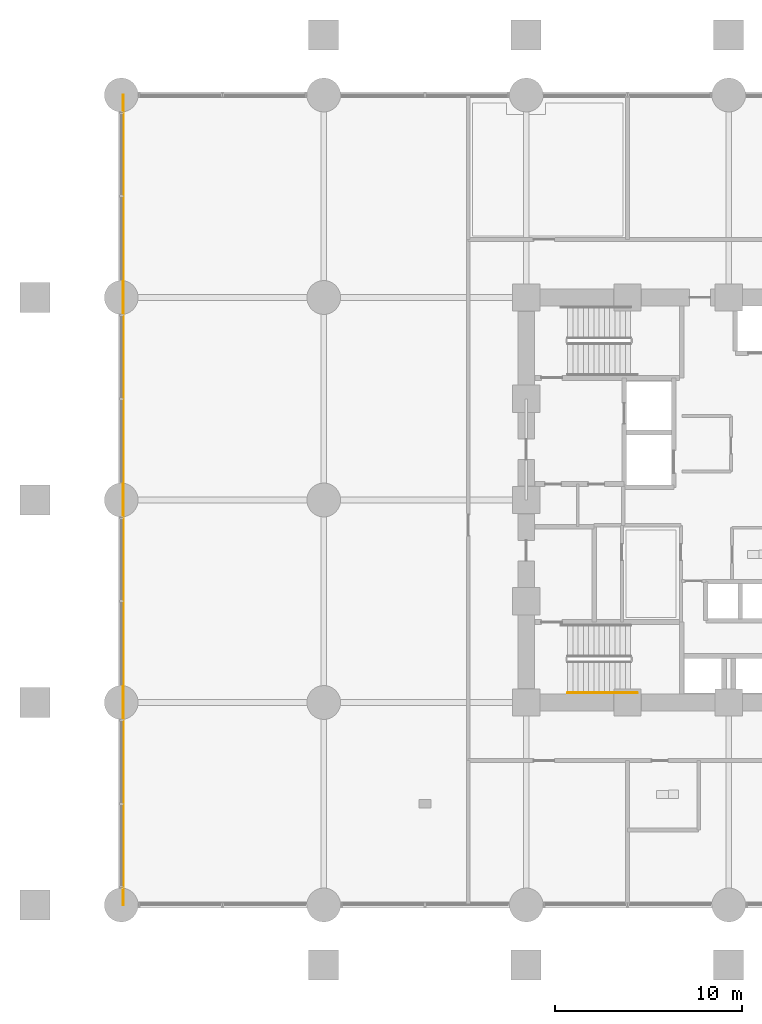
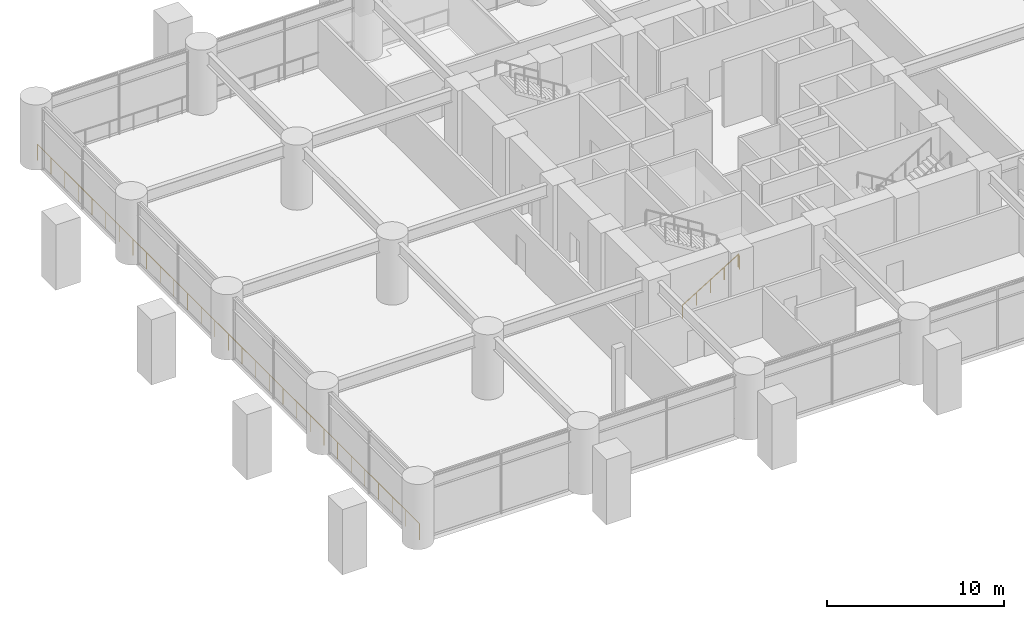
# One storey, part 26 of 31: 2 railings.
"""IFC4 building model written with IfcOpenShell, lengths in metres."""

from ifc_helpers import new_model, si_unit, direction, frame, origin, origin_2d, place, context, subcontext, project, spatial, circle, extrude, material, type_object, element, save


model = new_model("IFC4")

# Units and contexts
model_context = context("Model", 3, precision=1e-05, world=origin(), true_north=direction((0.0, 1.0)))
body_context = subcontext(model_context, "Body", "Model", "MODEL_VIEW")
ifc_project = project(units=[si_unit("LENGTHUNIT", "METRE"), si_unit("AREAUNIT", "SQUARE_METRE"), si_unit("VOLUMEUNIT", "CUBIC_METRE"), si_unit("PLANEANGLEUNIT", "RADIAN"), si_unit("MASSUNIT", "GRAM", prefix="KILO")], contexts=[model_context])

# Site, building, storey
site_placement = place(None, origin())
site = spatial("IfcSite", under=ifc_project, at=site_placement, CompositionType="ELEMENT")
building_placement = place(site_placement, origin())
building = spatial("IfcBuilding", under=site, at=building_placement, Name="Surkhivell Harbour Commons", CompositionType="ELEMENT")
storey_placement = place(building_placement, frame((0.0, 0.0, 4.5)))
storey = spatial("IfcBuildingStorey", under=building, at=storey_placement, Name="L01", CompositionType="ELEMENT", Elevation=4.5)

# Railings
ifc_material_1 = material(Name="Laminated safety glass and stainless steel S355 balustrade", Category="steel")
railing_type_1 = type_object("IfcRailingType", Name="RAL-BAL-1150", PredefinedType="BALUSTRADE", material=ifc_material_1)
railing_1_placement = place(storey_placement, frame((-32.300048828125, 21.60009765625, 0.0)))
element("IfcRailing", 1, at=railing_1_placement, inside=storey, type_object=railing_type_1, Name="L01 Perimeter Safety Guard 04", PredefinedType="BALUSTRADE", context=body_context, shape_type="SweptSolid", body=[
    extrude(circle(Radius=0.02392578125, at=origin_2d()), frame((0.0, 0.0, 1.1259765625), z_axis=(0.0, -1.0, 0.0), x_axis=(1.0, 0.0, 0.0)), (0.0, 0.0, 1.0), 43.2001953125),
    extrude(circle(Radius=0.02099609375, at=origin_2d()), origin(), (0.0, 0.0, 1.0), 1.101806640625),
    extrude(circle(Radius=0.02099609375, at=origin_2d()), frame((0.0, -1.54296875, 0.0)), (0.0, 0.0, 1.0), 1.101806640625),
    extrude(circle(Radius=0.02099609375, at=origin_2d()), frame((0.0, -3.085693359375, 0.0)), (0.0, 0.0, 1.0), 1.101806640625),
    extrude(circle(Radius=0.02099609375, at=origin_2d()), frame((0.0, -4.628662109375, 0.0)), (0.0, 0.0, 1.0), 1.101806640625),
    extrude(circle(Radius=0.02099609375, at=origin_2d()), frame((0.0, -6.17138671875, 0.0)), (0.0, 0.0, 1.0), 1.101806640625),
    extrude(circle(Radius=0.02099609375, at=origin_2d()), frame((0.0, -7.71435546875, 0.0)), (0.0, 0.0, 1.0), 1.101806640625),
    extrude(circle(Radius=0.02099609375, at=origin_2d()), frame((0.0, -9.257080078125, 0.0)), (0.0, 0.0, 1.0), 1.101806640625),
    extrude(circle(Radius=0.02099609375, at=origin_2d()), frame((0.0, -10.800048828125, 0.0)), (0.0, 0.0, 1.0), 1.101806640625),
    extrude(circle(Radius=0.02099609375, at=origin_2d()), frame((0.0, -12.343017578125, 0.0)), (0.0, 0.0, 1.0), 1.101806640625),
    extrude(circle(Radius=0.02099609375, at=origin_2d()), frame((0.0, -13.8857421875, 0.0)), (0.0, 0.0, 1.0), 1.101806640625),
    extrude(circle(Radius=0.02099609375, at=origin_2d()), frame((0.0, -15.4287109375, 0.0)), (0.0, 0.0, 1.0), 1.101806640625),
    extrude(circle(Radius=0.02099609375, at=origin_2d()), frame((0.0, -16.971435546875, 0.0)), (0.0, 0.0, 1.0), 1.101806640625),
    extrude(circle(Radius=0.02099609375, at=origin_2d()), frame((0.0, -18.514404296875, 0.0)), (0.0, 0.0, 1.0), 1.101806640625),
    extrude(circle(Radius=0.02099609375, at=origin_2d()), frame((0.0, -20.05712890625, 0.0)), (0.0, 0.0, 1.0), 1.101806640625),
    extrude(circle(Radius=0.02099609375, at=origin_2d()), frame((0.0, -21.60009765625, 0.0)), (0.0, 0.0, 1.0), 1.101806640625),
    extrude(circle(Radius=0.02099609375, at=origin_2d()), frame((0.0, -23.14306640625, 0.0)), (0.0, 0.0, 1.0), 1.101806640625),
    extrude(circle(Radius=0.02099609375, at=origin_2d()), frame((0.0, -24.685791015625, 0.0)), (0.0, 0.0, 1.0), 1.101806640625),
    extrude(circle(Radius=0.02099609375, at=origin_2d()), frame((0.0, -26.228759765625, 0.0)), (0.0, 0.0, 1.0), 1.101806640625),
    extrude(circle(Radius=0.02099609375, at=origin_2d()), frame((0.0, -27.771484375, 0.0)), (0.0, 0.0, 1.0), 1.101806640625),
    extrude(circle(Radius=0.02099609375, at=origin_2d()), frame((0.0, -29.314453125, 0.0)), (0.0, 0.0, 1.0), 1.101806640625),
    extrude(circle(Radius=0.02099609375, at=origin_2d()), frame((0.0, -30.857177734375, 0.0)), (0.0, 0.0, 1.0), 1.101806640625),
    extrude(circle(Radius=0.02099609375, at=origin_2d()), frame((0.0, -32.400146484375, 0.0)), (0.0, 0.0, 1.0), 1.101806640625),
    extrude(circle(Radius=0.02099609375, at=origin_2d()), frame((0.0, -33.943115234375, 0.0)), (0.0, 0.0, 1.0), 1.101806640625),
    extrude(circle(Radius=0.02099609375, at=origin_2d()), frame((0.0, -35.48583984375, 0.0)), (0.0, 0.0, 1.0), 1.101806640625),
    extrude(circle(Radius=0.02099609375, at=origin_2d()), frame((0.0, -37.02880859375, 0.0)), (0.0, 0.0, 1.0), 1.101806640625),
    extrude(circle(Radius=0.02099609375, at=origin_2d()), frame((0.0, -38.571533203125, 0.0)), (0.0, 0.0, 1.0), 1.101806640625),
    extrude(circle(Radius=0.02099609375, at=origin_2d()), frame((0.0, -40.114501953125, 0.0)), (0.0, 0.0, 1.0), 1.101806640625),
    extrude(circle(Radius=0.02099609375, at=origin_2d()), frame((0.0, -41.6572265625, 0.0)), (0.0, 0.0, 1.0), 1.101806640625),
    extrude(circle(Radius=0.02099609375, at=origin_2d()), frame((0.0, -43.2001953125, 0.0)), (0.0, 0.0, 1.0), 1.101806640625),
])
ifc_material_2 = material(Name="Brushed stainless steel S355 handrail", Category="steel")
railing_type_2 = type_object("IfcRailingType", Name="RAL-ST-HND900", PredefinedType="HANDRAIL", material=ifc_material_2)
railing_2_placement = place(storey_placement, frame((-8.590087890625, -10.2900390625, 0.173095703125)))
element("IfcRailing", 2, at=railing_2_placement, inside=storey, type_object=railing_type_2, Name="L01 ST3 stair handrail 1", PredefinedType="HANDRAIL", context=body_context, shape_type="SweptSolid", body=[
    extrude(circle(Radius=0.02392578125, at=origin_2d()), frame((0.0, 0.0, 0.8759765625), z_axis=(0.850622404505, 0.0, 0.525777067734), x_axis=(0.0, 1.0, 0.0)), (0.0, 0.0, 1.0), 4.279296875),
    extrude(circle(Radius=0.02392578125, at=origin_2d()), frame((3.64013671875, 0.0, 3.1259765625), z_axis=(0.418814502111, 0.0, -0.908071810388), x_axis=(0.0, 1.0, 0.0)), (0.0, 0.0, 1.0), 0.190673828125),
    extrude(circle(Radius=0.02099609375, at=origin_2d()), origin(), (0.0, 0.0, 1.0), 0.851806640625),
    extrude(circle(Radius=0.02099609375, at=origin_2d()), frame((0.91015625, 0.0, 0.5625)), (0.0, 0.0, 1.0), 0.851806640625),
    extrude(circle(Radius=0.02099609375, at=origin_2d()), frame((1.820068359375, 0.0, 1.125)), (0.0, 0.0, 1.0), 0.851806640625),
    extrude(circle(Radius=0.02099609375, at=origin_2d()), frame((2.72998046875, 0.0, 1.6875)), (0.0, 0.0, 1.0), 0.851806640625),
    extrude(circle(Radius=0.02099609375, at=origin_2d()), frame((3.64013671875, 0.0, 2.25)), (0.0, 0.0, 1.0), 0.851806640625),
    extrude(circle(Radius=0.02099609375, at=origin_2d()), frame((3.719970703125, 0.0, 2.076904296875)), (0.0, 0.0, 1.0), 0.851806640625),
])

save(model, "model.ifc")
